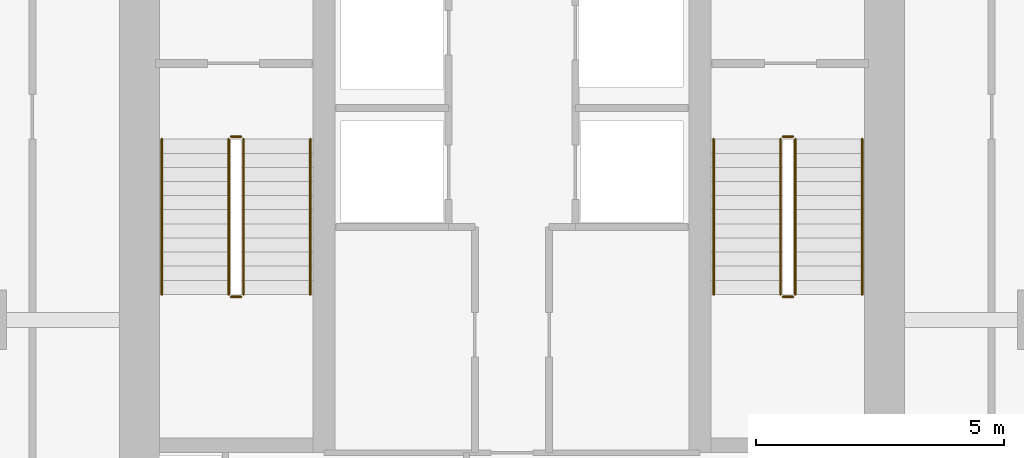
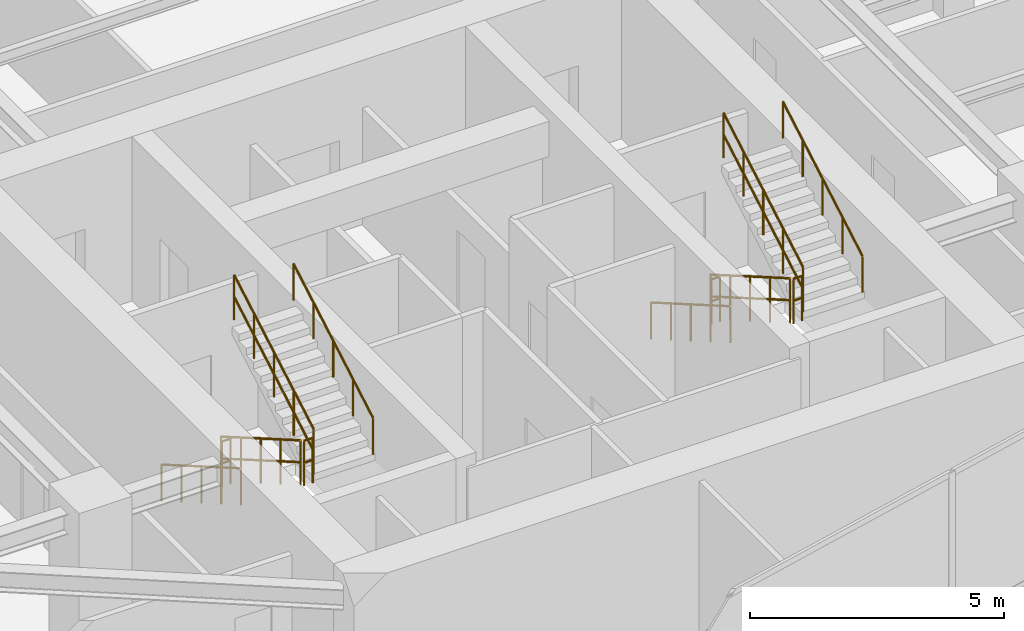
# One storey, part 21 of 22: 12 railings.
"""IFC4 building model written with IfcOpenShell, lengths in metres."""

import ifcopenshell
import ifcopenshell.guid

model = None  # the IFC model being written
_history = None  # IfcOwnerHistory: only IFC2X3 demands one
_inside = {}  # id of a spatial element -> (the spatial element, [elements in it])
_under = {}  # id of a project, library or spatial element -> (it, [spatial elements below it])
_declared = {}  # id of a project -> (the project, [libraries it declares])
_typed = {}  # id of a type object -> (the type object, [elements of that type])
_made_of = {}  # id of a material, layer set ... -> (it, [elements and type objects made of it])


def new_model(schema):
    """Start an empty IFC model of exactly this schema.

    Asked for "IFC4X3", IfcOpenShell would pick the latest addendum, in which some entities
    have other attributes; the version numbers below select the first issue.
    IFC2X3 requires an IfcOwnerHistory on every rooted entity: one is made here for all.
    """
    global model, _history
    if schema == "IFC4X3":
        model = ifcopenshell.file(schema_version=(4, 3, 0, 0))
    else:
        model = ifcopenshell.file(schema=schema)
    _inside.clear()
    _under.clear()
    _declared.clear()
    _typed.clear()
    _made_of.clear()
    _history = None
    if model.schema == "IFC2X3":
        org = make("IfcOrganization", Name="unknown")
        user = make(
            "IfcPersonAndOrganization",
            ThePerson=make("IfcPerson", FamilyName="unknown"),
            TheOrganization=org,
        )
        app = make(
            "IfcApplication",
            ApplicationDeveloper=org,
            Version="unknown",
            ApplicationFullName="unknown",
            ApplicationIdentifier="unknown",
        )
        _history = make(
            "IfcOwnerHistory",
            OwningUser=user,
            OwningApplication=app,
            ChangeAction="ADDED",
            CreationDate=0,
        )
    return model


def make(cls, **values):
    """One entity of the class cls with the attributes given. An attribute that is None is left unset."""
    return model.create_entity(
        cls, **{name: value for name, value in values.items() if value is not None}
    )


def rooted(cls, **values):
    """An entity with a GlobalId (a new one), such as an element, a storey or a relation."""
    return make(cls, GlobalId=ifcopenshell.guid.new(), OwnerHistory=_history, **values)


def si_unit(unit_type, name, prefix=None):
    """IfcSIUnit, for example si_unit("LENGTHUNIT", "METRE", prefix="MILLI")."""
    return make("IfcSIUnit", UnitType=unit_type, Prefix=prefix, Name=name)


def assignment(units):
    """IfcUnitAssignment: the units of a project."""
    return None if units is None else make("IfcUnitAssignment", Units=units)


def point(xyz):
    """IfcCartesianPoint."""
    return None if xyz is None else make("IfcCartesianPoint", Coordinates=xyz)


def direction(xyz):
    """IfcDirection."""
    return None if xyz is None else make("IfcDirection", DirectionRatios=xyz)


def frame(location, z_axis=None, x_axis=None):
    """IfcAxis2Placement3D, a coordinate frame: its origin and axes. An axis left out is left unset."""
    return make(
        "IfcAxis2Placement3D",
        Location=point(location),
        Axis=direction(z_axis),
        RefDirection=direction(x_axis),
    )


def frame_2d(location, x_axis=None):
    """IfcAxis2Placement2D, a coordinate frame in the plane: its origin and x axis."""
    return make(
        "IfcAxis2Placement2D", Location=point(location), RefDirection=direction(x_axis)
    )


def origin():
    """The frame at (0, 0, 0) with its axes left unset."""
    return frame((0.0, 0.0, 0.0))


def origin_2d():
    """The frame at (0, 0) in the plane with its x axis left unset."""
    return frame_2d((0.0, 0.0))


def place(relative_to, where):
    """IfcLocalPlacement: puts the frame where relative to a parent placement (None: the world)."""
    return make(
        "IfcLocalPlacement", PlacementRelTo=relative_to, RelativePlacement=where
    )


def context(
    kind, dimensions, precision=None, world=None, true_north=None, identifier=None
):
    """IfcGeometricRepresentationContext, for example the 3D "Model" context."""
    return make(
        "IfcGeometricRepresentationContext",
        ContextIdentifier=identifier,
        ContextType=kind,
        CoordinateSpaceDimension=dimensions,
        Precision=precision,
        WorldCoordinateSystem=world,
        TrueNorth=true_north,
    )


def subcontext(parent, identifier, kind, view, scale=None):
    """IfcGeometricRepresentationSubContext, for example "Body" below "Model"."""
    return make(
        "IfcGeometricRepresentationSubContext",
        ContextIdentifier=identifier,
        ContextType=kind,
        ParentContext=parent,
        TargetScale=scale,
        TargetView=view,
    )


def project(units=None, contexts=None):
    """IfcProject with its units and contexts."""
    return rooted(
        "IfcProject",
        Name="project",
        RepresentationContexts=contexts,
        UnitsInContext=assignment(units),
    )


def spatial(cls, under=None, at=None, **own):
    """A site, building, storey or space (cls), placed at a placement, below another one or the project."""
    s = rooted(cls, ObjectPlacement=at, **own)
    if under is not None:
        _under.setdefault(under.id(), (under, []))[1].append(s)
    return s


def profile(cls, at=None, kind="AREA", **sizes):
    """A parametric profile (cls). Its sizes go by their IFC names, for example OverallWidth=200.0."""
    return make(cls, ProfileType=kind, Position=at, **sizes)


def circle(**sizes):
    """IfcCircleProfileDef."""
    return profile("IfcCircleProfileDef", **sizes)


def extrude(swept, where, along, depth):
    """IfcExtrudedAreaSolid: the profile swept, set in the frame where, extruded along a direction by depth."""
    return make(
        "IfcExtrudedAreaSolid",
        SweptArea=swept,
        Position=where,
        ExtrudedDirection=direction(along),
        Depth=depth,
    )


def shape(context_of_items, identifier, shape_type, items):
    """IfcShapeRepresentation: the items that make up one representation, for example the "Body"."""
    return make(
        "IfcShapeRepresentation",
        ContextOfItems=context_of_items,
        RepresentationIdentifier=identifier,
        RepresentationType=shape_type,
        Items=items,
    )


def material(Name=None, Category=None):
    """IfcMaterial."""
    return make("IfcMaterial", Name=Name, Category=Category)


def layer(
    of_material, thickness, ventilated=None, Name=None, Category=None, Priority=None
):
    """IfcMaterialLayer: one layer of a wall or slab, of a material (None: an air gap)."""
    return make(
        "IfcMaterialLayer",
        Material=of_material,
        LayerThickness=thickness,
        IsVentilated=ventilated,
        Name=Name,
        Category=Category,
        Priority=Priority,
    )


def layer_set(layers, Name=None):
    """IfcMaterialLayerSet."""
    return make("IfcMaterialLayerSet", MaterialLayers=layers, LayerSetName=Name)


def made_of(thing, what):
    """Note that an element or type object is made of a material, layer set ...; save() writes the relation."""
    if what is not None:
        _made_of.setdefault(what.id(), (what, []))[1].append(thing)
    return thing


def type_object(cls, material=None, **own):
    """A type object (cls), such as IfcWallType, which elements share."""
    return made_of(rooted(cls, **own), material)


def element(
    cls,
    number,
    at=None,
    inside=None,
    cuts=None,
    type_object=None,
    material=None,
    context=None,
    identifier="Body",
    shape_type=None,
    held_by="IfcProductDefinitionShape",
    body=None,
    shapes=None,
    **own,
):
    """One element of the class cls, such as IfcWall. Its Tag is "e" and its number.

    at: its placement. inside: the storey or other place that contains it. cuts: it is an
    opening in that element (IfcRelVoidsElement). A single representation is given by context,
    identifier, shape_type and body (its items); several are given by shapes. held_by: the class
    of the entity that holds the representations. save() writes the other relations.
    """
    e = rooted(cls, Tag="e%d" % number, ObjectPlacement=at, **own)
    if body is not None:
        shapes = [shape(context, identifier, shape_type, body)]
    if shapes is not None:
        e.Representation = make(held_by, Representations=shapes)
    if inside is not None:
        _inside.setdefault(inside.id(), (inside, []))[1].append(e)
    if cuts is not None:
        rooted(
            "IfcRelVoidsElement", RelatingBuildingElement=cuts, RelatedOpeningElement=e
        )
    if type_object is not None:
        _typed.setdefault(type_object.id(), (type_object, []))[1].append(e)
    return made_of(e, material)


def aggregate(whole, parts):
    """IfcRelAggregates: a whole, such as a stair, and the parts it consists of."""
    return rooted("IfcRelAggregates", RelatingObject=whole, RelatedObjects=parts)


def save(model, path):
    """Write the relations noted so far, then the file.

    IfcRelAggregates (storeys below a building ...), IfcRelContainedInSpatialStructure (elements
    in a storey), IfcRelDefinesByType, IfcRelAssociatesMaterial and IfcRelDeclares: one each for
    every whole, place, type object, material and project.
    """
    for whole, parts in _under.values():
        aggregate(whole, parts)
    for where, things in _inside.values():
        rooted(
            "IfcRelContainedInSpatialStructure",
            RelatedElements=things,
            RelatingStructure=where,
        )
    for kind, things in _typed.values():
        rooted("IfcRelDefinesByType", RelatedObjects=things, RelatingType=kind)
    for what, things in _made_of.values():
        rooted("IfcRelAssociatesMaterial", RelatedObjects=things, RelatingMaterial=what)
    for by, libraries in _declared.values():
        rooted("IfcRelDeclares", RelatingContext=by, RelatedDefinitions=libraries)
    model.write(path)


model = new_model("IFC4")

# Units and contexts
model_context = context("Model", 3, precision=1e-05, world=origin(), true_north=direction((0.0, 1.0)))
body_context = subcontext(model_context, "Body", "Model", "MODEL_VIEW")
ifc_project = project(units=[si_unit("LENGTHUNIT", "METRE"), si_unit("AREAUNIT", "SQUARE_METRE"), si_unit("VOLUMEUNIT", "CUBIC_METRE"), si_unit("PLANEANGLEUNIT", "RADIAN"), si_unit("MASSUNIT", "GRAM", prefix="KILO")], contexts=[model_context])

# Site, building, storey
site_placement = place(None, origin())
site = spatial("IfcSite", under=ifc_project, at=site_placement, CompositionType="ELEMENT")
building_placement = place(site_placement, origin())
building = spatial("IfcBuilding", under=site, at=building_placement, Name="Krantzveldt Concourse Tower", CompositionType="ELEMENT")
storey_placement = place(building_placement, frame((0.0, 0.0, 355.35009765625)))
storey = spatial("IfcBuildingStorey", under=building, at=storey_placement, Name="L87", CompositionType="ELEMENT", Elevation=355.35009765625)

# Railings
ifc_material = material(Name="Stainless steel 316L", Category="steel")
ifc_layer_1 = layer(ifc_material, 0.06005859375, Name="Stainless steel 316L", Category="steel")
ifc_layer_set_1 = layer_set([ifc_layer_1], Name="Stainless steel 316L (RL-GUARD-1120)")
railing_type_1 = type_object("IfcRailingType", Name="RL-GUARD-1120", PredefinedType="GUARDRAIL", material=ifc_layer_set_1)
railing_1_placement = place(storey_placement, frame((30.280029296875, 19.550048828125, 0.16455078125)))
element("IfcRailing", 1, at=railing_1_placement, inside=storey, type_object=railing_type_1, Name="L87 ST-1 stair guard 1", PredefinedType="GUARDRAIL", context=body_context, shape_type="SweptSolid", body=[
    extrude(circle(Radius=0.02392578125, at=origin_2d()), frame((0.0, 0.0, 1.076171875), z_axis=(0.0, -0.865989039225, 0.500062979975), x_axis=(1.0, 0.0, 0.0)), (0.0, 0.0, 1.0), 3.6201171875),
    extrude(circle(Radius=0.02392578125, at=origin_2d()), frame((0.0, 0.0, 0.550048828125), z_axis=(0.0, -0.865989039225, 0.500062979975), x_axis=(1.0, 0.0, 0.0)), (0.0, 0.0, 1.0), 3.6201171875),
    extrude(circle(Radius=0.02099609375, at=origin_2d()), origin(), (0.0, 0.0, 1.0), 1.052001953125),
    extrude(circle(Radius=0.02099609375, at=origin_2d()), frame((0.0, -0.78369140625, 0.45263671875)), (0.0, 0.0, 1.0), 1.052001953125),
    extrude(circle(Radius=0.02099609375, at=origin_2d()), frame((0.0, -1.5673828125, 0.9052734375)), (0.0, 0.0, 1.0), 1.052001953125),
    extrude(circle(Radius=0.02099609375, at=origin_2d()), frame((0.0, -2.351318359375, 1.357666015625)), (0.0, 0.0, 1.0), 1.052001953125),
    extrude(circle(Radius=0.02099609375, at=origin_2d()), frame((0.0, -3.135009765625, 1.810302734375)), (0.0, 0.0, 1.0), 1.052001953125),
])
railing_2_placement = place(storey_placement, frame((30.330078125, 16.364990234375, 1.974853515625)))
element("IfcRailing", 2, at=railing_2_placement, inside=storey, type_object=railing_type_1, Name="L87 ST-1 stair guard 2", PredefinedType="GUARDRAIL", context=body_context, shape_type="SweptSolid", body=[
    extrude(circle(Radius=0.02392578125, at=origin_2d()), frame((0.0, 0.0, 1.076171875), z_axis=(1.0, 0.0, 0.0), x_axis=(0.0, 1.0, 0.0)), (0.0, 0.0, 1.0), 0.199951171875),
    extrude(circle(Radius=0.02392578125, at=origin_2d()), frame((0.0, 0.0, 0.550048828125), z_axis=(1.0, 0.0, 0.0), x_axis=(0.0, 1.0, 0.0)), (0.0, 0.0, 1.0), 0.199951171875),
    extrude(circle(Radius=0.02099609375, at=origin_2d()), origin(), (0.0, 0.0, 1.0), 1.052001953125),
    extrude(circle(Radius=0.02099609375, at=origin_2d()), frame((0.199951171875, 0.0, 0.0)), (0.0, 0.0, 1.0), 1.052001953125),
])
railing_3_placement = place(storey_placement, frame((30.580078125, 16.4150390625, 2.139404296875)))
element("IfcRailing", 3, at=railing_3_placement, inside=storey, type_object=railing_type_1, Name="L87 ST-1 stair guard 3", PredefinedType="GUARDRAIL", context=body_context, shape_type="SweptSolid", body=[
    extrude(circle(Radius=0.02392578125, at=origin_2d()), frame((0.0, 0.0, 1.076171875), z_axis=(0.0, 0.865959834175, 0.500113552702), x_axis=(-1.0, 0.0, 0.0)), (0.0, 0.0, 1.0), 3.620361328125),
    extrude(circle(Radius=0.02392578125, at=origin_2d()), frame((0.0, 0.0, 0.550048828125), z_axis=(0.0, 0.865959834175, 0.500113552702), x_axis=(-1.0, 0.0, 0.0)), (0.0, 0.0, 1.0), 3.620361328125),
    extrude(circle(Radius=0.02099609375, at=origin_2d()), origin(), (0.0, 0.0, 1.0), 1.052001953125),
    extrude(circle(Radius=0.02099609375, at=origin_2d()), frame((0.0, 0.78369140625, 0.45263671875)), (0.0, 0.0, 1.0), 1.052001953125),
    extrude(circle(Radius=0.02099609375, at=origin_2d()), frame((0.0, 1.5673828125, 0.9052734375)), (0.0, 0.0, 1.0), 1.052001953125),
    extrude(circle(Radius=0.02099609375, at=origin_2d()), frame((0.0, 2.351318359375, 1.35791015625)), (0.0, 0.0, 1.0), 1.052001953125),
    extrude(circle(Radius=0.02099609375, at=origin_2d()), frame((0.0, 3.135009765625, 1.810546875)), (0.0, 0.0, 1.0), 1.052001953125),
])
railing_4_placement = place(storey_placement, frame((30.330078125, 19.60009765625, 0.0)))
element("IfcRailing", 4, at=railing_4_placement, inside=storey, type_object=railing_type_1, Name="L87 ST-1 stair guard 4", PredefinedType="GUARDRAIL", context=body_context, shape_type="SweptSolid", body=[
    extrude(circle(Radius=0.02392578125, at=origin_2d()), frame((0.0, 0.0, 1.076171875), z_axis=(1.0, 0.0, 0.0), x_axis=(0.0, 1.0, 0.0)), (0.0, 0.0, 1.0), 0.199951171875),
    extrude(circle(Radius=0.02392578125, at=origin_2d()), frame((0.0, 0.0, 0.550048828125), z_axis=(1.0, 0.0, 0.0), x_axis=(0.0, 1.0, 0.0)), (0.0, 0.0, 1.0), 0.199951171875),
    extrude(circle(Radius=0.02099609375, at=origin_2d()), origin(), (0.0, 0.0, 1.0), 1.052001953125),
    extrude(circle(Radius=0.02099609375, at=origin_2d()), frame((0.199951171875, 0.0, 0.0)), (0.0, 0.0, 1.0), 1.052001953125),
])
railing_5_placement = place(storey_placement, frame((41.419921875, 19.550048828125, 0.16455078125)))
element("IfcRailing", 5, at=railing_5_placement, inside=storey, type_object=railing_type_1, Name="L87 ST-2 stair guard 1", PredefinedType="GUARDRAIL", context=body_context, shape_type="SweptSolid", body=[
    extrude(circle(Radius=0.02392578125, at=origin_2d()), frame((0.0, 0.0, 1.076171875), z_axis=(0.0, -0.865989039225, 0.500062979975), x_axis=(1.0, 0.0, 0.0)), (0.0, 0.0, 1.0), 3.6201171875),
    extrude(circle(Radius=0.02392578125, at=origin_2d()), frame((0.0, 0.0, 0.550048828125), z_axis=(0.0, -0.865989039225, 0.500062979975), x_axis=(1.0, 0.0, 0.0)), (0.0, 0.0, 1.0), 3.6201171875),
    extrude(circle(Radius=0.02099609375, at=origin_2d()), origin(), (0.0, 0.0, 1.0), 1.052001953125),
    extrude(circle(Radius=0.02099609375, at=origin_2d()), frame((0.0, -0.78369140625, 0.45263671875)), (0.0, 0.0, 1.0), 1.052001953125),
    extrude(circle(Radius=0.02099609375, at=origin_2d()), frame((0.0, -1.5673828125, 0.9052734375)), (0.0, 0.0, 1.0), 1.052001953125),
    extrude(circle(Radius=0.02099609375, at=origin_2d()), frame((0.0, -2.351318359375, 1.357666015625)), (0.0, 0.0, 1.0), 1.052001953125),
    extrude(circle(Radius=0.02099609375, at=origin_2d()), frame((0.0, -3.135009765625, 1.810302734375)), (0.0, 0.0, 1.0), 1.052001953125),
])
railing_6_placement = place(storey_placement, frame((41.469970703125, 16.364990234375, 1.974853515625)))
element("IfcRailing", 6, at=railing_6_placement, inside=storey, type_object=railing_type_1, Name="L87 ST-2 stair guard 2", PredefinedType="GUARDRAIL", context=body_context, shape_type="SweptSolid", body=[
    extrude(circle(Radius=0.02392578125, at=origin_2d()), frame((0.0, 0.0, 1.076171875), z_axis=(1.0, 0.0, 0.0), x_axis=(0.0, 1.0, 0.0)), (0.0, 0.0, 1.0), 0.199951171875),
    extrude(circle(Radius=0.02392578125, at=origin_2d()), frame((0.0, 0.0, 0.550048828125), z_axis=(1.0, 0.0, 0.0), x_axis=(0.0, 1.0, 0.0)), (0.0, 0.0, 1.0), 0.199951171875),
    extrude(circle(Radius=0.02099609375, at=origin_2d()), origin(), (0.0, 0.0, 1.0), 1.052001953125),
    extrude(circle(Radius=0.02099609375, at=origin_2d()), frame((0.199951171875, 0.0, 0.0)), (0.0, 0.0, 1.0), 1.052001953125),
])
railing_7_placement = place(storey_placement, frame((41.719970703125, 16.4150390625, 2.139404296875)))
element("IfcRailing", 7, at=railing_7_placement, inside=storey, type_object=railing_type_1, Name="L87 ST-2 stair guard 3", PredefinedType="GUARDRAIL", context=body_context, shape_type="SweptSolid", body=[
    extrude(circle(Radius=0.02392578125, at=origin_2d()), frame((0.0, 0.0, 1.076171875), z_axis=(0.0, 0.865959834175, 0.500113552702), x_axis=(-1.0, 0.0, 0.0)), (0.0, 0.0, 1.0), 3.620361328125),
    extrude(circle(Radius=0.02392578125, at=origin_2d()), frame((0.0, 0.0, 0.550048828125), z_axis=(0.0, 0.865959834175, 0.500113552702), x_axis=(-1.0, 0.0, 0.0)), (0.0, 0.0, 1.0), 3.620361328125),
    extrude(circle(Radius=0.02099609375, at=origin_2d()), origin(), (0.0, 0.0, 1.0), 1.052001953125),
    extrude(circle(Radius=0.02099609375, at=origin_2d()), frame((0.0, 0.78369140625, 0.45263671875)), (0.0, 0.0, 1.0), 1.052001953125),
    extrude(circle(Radius=0.02099609375, at=origin_2d()), frame((0.0, 1.5673828125, 0.9052734375)), (0.0, 0.0, 1.0), 1.052001953125),
    extrude(circle(Radius=0.02099609375, at=origin_2d()), frame((0.0, 2.351318359375, 1.35791015625)), (0.0, 0.0, 1.0), 1.052001953125),
    extrude(circle(Radius=0.02099609375, at=origin_2d()), frame((0.0, 3.135009765625, 1.810546875)), (0.0, 0.0, 1.0), 1.052001953125),
])
railing_8_placement = place(storey_placement, frame((41.469970703125, 19.60009765625, 0.0)))
element("IfcRailing", 8, at=railing_8_placement, inside=storey, type_object=railing_type_1, Name="L87 ST-2 stair guard 4", PredefinedType="GUARDRAIL", context=body_context, shape_type="SweptSolid", body=[
    extrude(circle(Radius=0.02392578125, at=origin_2d()), frame((0.0, 0.0, 1.076171875), z_axis=(1.0, 0.0, 0.0), x_axis=(0.0, 1.0, 0.0)), (0.0, 0.0, 1.0), 0.199951171875),
    extrude(circle(Radius=0.02392578125, at=origin_2d()), frame((0.0, 0.0, 0.550048828125), z_axis=(1.0, 0.0, 0.0), x_axis=(0.0, 1.0, 0.0)), (0.0, 0.0, 1.0), 0.199951171875),
    extrude(circle(Radius=0.02099609375, at=origin_2d()), origin(), (0.0, 0.0, 1.0), 1.052001953125),
    extrude(circle(Radius=0.02099609375, at=origin_2d()), frame((0.199951171875, 0.0, 0.0)), (0.0, 0.0, 1.0), 1.052001953125),
])
ifc_layer_2 = layer(ifc_material, 0.050048828125, Name="Stainless steel 316L", Category="steel")
ifc_layer_set_2 = layer_set([ifc_layer_2], Name="Stainless steel 316L (RL-HANDRAIL-920)")
railing_type_2 = type_object("IfcRailingType", Name="RL-HANDRAIL-920", PredefinedType="HANDRAIL", material=ifc_layer_set_2)
railing_9_placement = place(storey_placement, frame((28.929931640625, 19.550048828125, 0.16455078125)))
element("IfcRailing", 9, at=railing_9_placement, inside=storey, type_object=railing_type_2, Name="L87 ST-1 stair handrail 1", PredefinedType="HANDRAIL", context=body_context, shape_type="SweptSolid", body=[
    extrude(circle(Radius=0.02392578125, at=origin_2d()), frame((0.0, 0.0, 0.8759765625), z_axis=(0.0, -0.865989039225, 0.500062979975), x_axis=(1.0, 0.0, 0.0)), (0.0, 0.0, 1.0), 3.6201171875),
    extrude(circle(Radius=0.02099609375, at=origin_2d()), origin(), (0.0, 0.0, 1.0), 0.851806640625),
    extrude(circle(Radius=0.02099609375, at=origin_2d()), frame((0.0, -0.78369140625, 0.45263671875)), (0.0, 0.0, 1.0), 0.851806640625),
    extrude(circle(Radius=0.02099609375, at=origin_2d()), frame((0.0, -1.5673828125, 0.9052734375)), (0.0, 0.0, 1.0), 0.851806640625),
    extrude(circle(Radius=0.02099609375, at=origin_2d()), frame((0.0, -2.351318359375, 1.357666015625)), (0.0, 0.0, 1.0), 0.851806640625),
    extrude(circle(Radius=0.02099609375, at=origin_2d()), frame((0.0, -3.135009765625, 1.810302734375)), (0.0, 0.0, 1.0), 0.851806640625),
])
railing_10_placement = place(storey_placement, frame((31.929931640625, 16.4150390625, 2.139404296875)))
element("IfcRailing", 10, at=railing_10_placement, inside=storey, type_object=railing_type_2, Name="L87 ST-1 stair handrail 2", PredefinedType="HANDRAIL", context=body_context, shape_type="SweptSolid", body=[
    extrude(circle(Radius=0.02392578125, at=origin_2d()), frame((0.0, 0.0, 0.8759765625), z_axis=(0.0, 0.865959834175, 0.500113552702), x_axis=(-1.0, 0.0, 0.0)), (0.0, 0.0, 1.0), 3.620361328125),
    extrude(circle(Radius=0.02099609375, at=origin_2d()), origin(), (0.0, 0.0, 1.0), 0.851806640625),
    extrude(circle(Radius=0.02099609375, at=origin_2d()), frame((0.0, 0.78369140625, 0.45263671875)), (0.0, 0.0, 1.0), 0.851806640625),
    extrude(circle(Radius=0.02099609375, at=origin_2d()), frame((0.0, 1.5673828125, 0.9052734375)), (0.0, 0.0, 1.0), 0.851806640625),
    extrude(circle(Radius=0.02099609375, at=origin_2d()), frame((0.0, 2.351318359375, 1.35791015625)), (0.0, 0.0, 1.0), 0.851806640625),
    extrude(circle(Radius=0.02099609375, at=origin_2d()), frame((0.0, 3.135009765625, 1.810546875)), (0.0, 0.0, 1.0), 0.851806640625),
])
railing_11_placement = place(storey_placement, frame((40.070068359375, 19.550048828125, 0.16455078125)))
element("IfcRailing", 11, at=railing_11_placement, inside=storey, type_object=railing_type_2, Name="L87 ST-2 stair handrail 1", PredefinedType="HANDRAIL", context=body_context, shape_type="SweptSolid", body=[
    extrude(circle(Radius=0.02392578125, at=origin_2d()), frame((0.0, 0.0, 0.8759765625), z_axis=(0.0, -0.865989039225, 0.500062979975), x_axis=(1.0, 0.0, 0.0)), (0.0, 0.0, 1.0), 3.6201171875),
    extrude(circle(Radius=0.02099609375, at=origin_2d()), origin(), (0.0, 0.0, 1.0), 0.851806640625),
    extrude(circle(Radius=0.02099609375, at=origin_2d()), frame((0.0, -0.78369140625, 0.45263671875)), (0.0, 0.0, 1.0), 0.851806640625),
    extrude(circle(Radius=0.02099609375, at=origin_2d()), frame((0.0, -1.5673828125, 0.9052734375)), (0.0, 0.0, 1.0), 0.851806640625),
    extrude(circle(Radius=0.02099609375, at=origin_2d()), frame((0.0, -2.351318359375, 1.357666015625)), (0.0, 0.0, 1.0), 0.851806640625),
    extrude(circle(Radius=0.02099609375, at=origin_2d()), frame((0.0, -3.135009765625, 1.810302734375)), (0.0, 0.0, 1.0), 0.851806640625),
])
railing_12_placement = place(storey_placement, frame((43.070068359375, 16.4150390625, 2.139404296875)))
element("IfcRailing", 12, at=railing_12_placement, inside=storey, type_object=railing_type_2, Name="L87 ST-2 stair handrail 2", PredefinedType="HANDRAIL", context=body_context, shape_type="SweptSolid", body=[
    extrude(circle(Radius=0.02392578125, at=origin_2d()), frame((0.0, 0.0, 0.8759765625), z_axis=(0.0, 0.865959834175, 0.500113552702), x_axis=(-1.0, 0.0, 0.0)), (0.0, 0.0, 1.0), 3.620361328125),
    extrude(circle(Radius=0.02099609375, at=origin_2d()), origin(), (0.0, 0.0, 1.0), 0.851806640625),
    extrude(circle(Radius=0.02099609375, at=origin_2d()), frame((0.0, 0.78369140625, 0.45263671875)), (0.0, 0.0, 1.0), 0.851806640625),
    extrude(circle(Radius=0.02099609375, at=origin_2d()), frame((0.0, 1.5673828125, 0.9052734375)), (0.0, 0.0, 1.0), 0.851806640625),
    extrude(circle(Radius=0.02099609375, at=origin_2d()), frame((0.0, 2.351318359375, 1.35791015625)), (0.0, 0.0, 1.0), 0.851806640625),
    extrude(circle(Radius=0.02099609375, at=origin_2d()), frame((0.0, 3.135009765625, 1.810546875)), (0.0, 0.0, 1.0), 0.851806640625),
])

save(model, "model.ifc")
